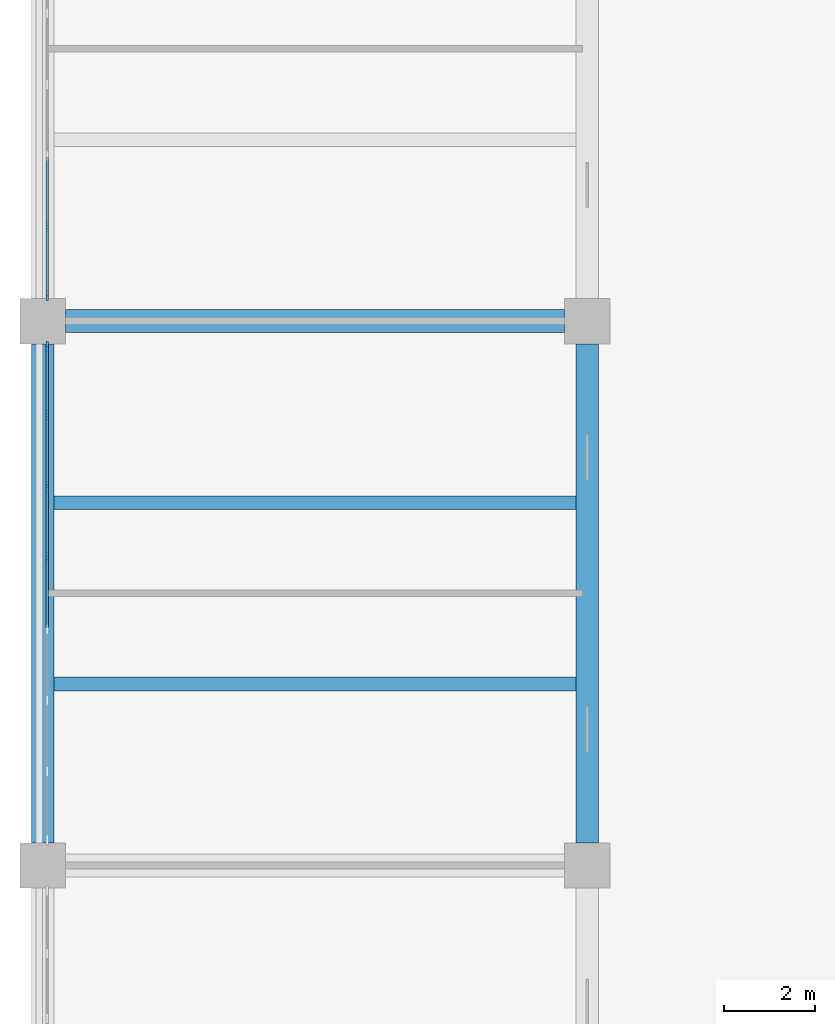
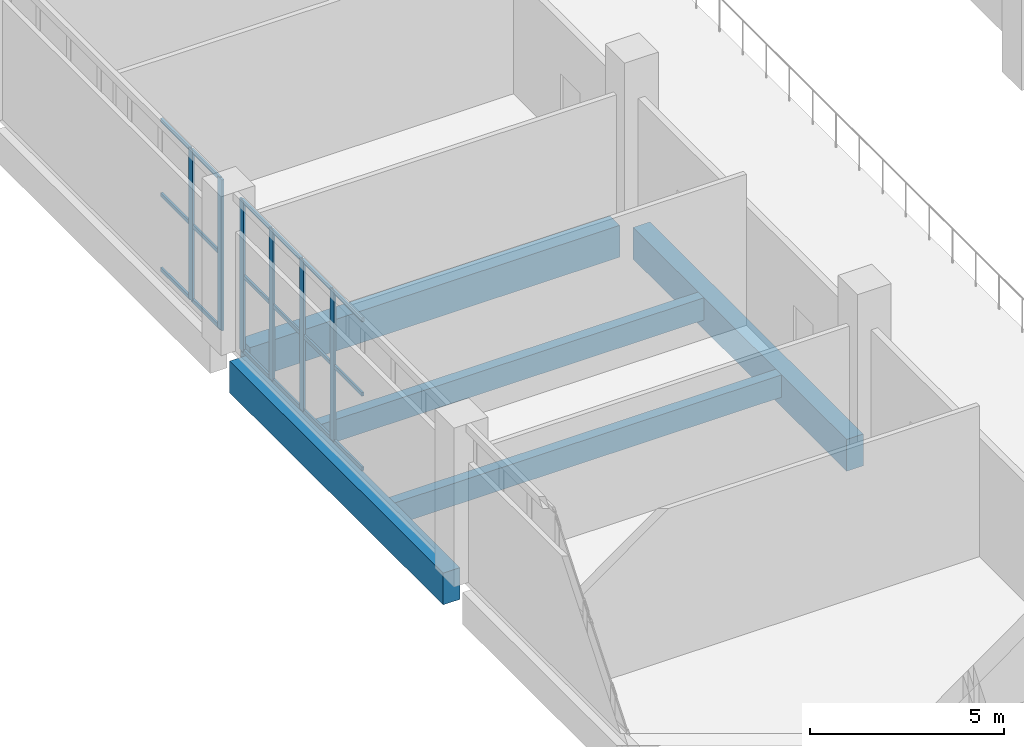
# One storey, part 31 of 69: 24 members, 5 beams, 2 elements without a shape of their own.
"""IFC4 building model written with IfcOpenShell, lengths in metres."""

from ifc_helpers import new_model, si_unit, direction, frame, origin, origin_2d, place, context, subcontext, project, spatial, rectangle, extrude, material, layer, layer_set, material_profile, profile_set, type_object, element, aggregate, save


model = new_model("IFC4")

# Units and contexts
model_context = context("Model", 3, precision=1e-05, world=origin(), true_north=direction((0.0, 1.0)))
body_context = subcontext(model_context, "Body", "Model", "MODEL_VIEW")
ifc_project = project(units=[si_unit("LENGTHUNIT", "METRE"), si_unit("AREAUNIT", "SQUARE_METRE"), si_unit("VOLUMEUNIT", "CUBIC_METRE"), si_unit("PLANEANGLEUNIT", "RADIAN"), si_unit("MASSUNIT", "GRAM", prefix="KILO")], contexts=[model_context])

# Site, building, storey
site_placement = place(None, origin())
site = spatial("IfcSite", under=ifc_project, at=site_placement, CompositionType="ELEMENT")
building_placement = place(site_placement, origin())
building = spatial("IfcBuilding", under=site, at=building_placement, Name="Lilac Gate Convention Centre", CompositionType="ELEMENT")
storey_placement = place(building_placement, frame((0.0, 0.0, 12.0)))
storey = spatial("IfcBuildingStorey", under=building, at=storey_placement, Name="L02", CompositionType="ELEMENT", Elevation=12.0)

# Curtain wall, members
ifc_material_1 = material(Name="Aluminium framed double glazing", Category="aluminium")
ifc_layer = layer(ifc_material_1, 0.199951171875)
ifc_layer_set = layer_set([ifc_layer], Name="Aluminium framed double glazing")
curtain_wall_type = type_object("IfcCurtainWallType", Name="Unitised curtain wall 1500", PredefinedType="NOTDEFINED", material=ifc_layer_set)
curtain_wall_1_placement = place(storey_placement, origin())
curtain_wall_1 = element("IfcCurtainWall", 1, at=curtain_wall_1_placement, inside=storey, type_object=curtain_wall_type, Name="Curtain wall PW L02 2", PredefinedType="NOTDEFINED")
ifc_material_2 = material(Name="Aluminium alloy 6063", Category="aluminium")
ifc_material_profile_1 = material_profile(ifc_material_2, rectangle(XDim=0.06005859375, YDim=0.219970703125, at=origin_2d()), Name="Curtain wall mullion 60 x 220")
ifc_profile_set_1 = profile_set([ifc_material_profile_1], Name="Aluminium alloy 6063")
member_type_1 = type_object("IfcMemberType", Name="Curtain wall mullion 60 x 220", PredefinedType="MULLION", material=ifc_profile_set_1)
member_1_placement = place(storey_placement, frame((6.10009765625, 188.071533203125, 0.0), z_axis=(0.0, 0.0, 1.0), x_axis=(1.0, 0.0, 0.0)))
member_1 = element("IfcMember", 2, at=member_1_placement, type_object=member_type_1, Name="CW mullion 7", PredefinedType="MULLION", context=body_context, shape_type="SweptSolid", body=[
    extrude(rectangle(XDim=0.06005859375, YDim=0.219970703125, at=origin_2d()), origin(), (0.0, 0.0, 1.0), 4.75),
])
member_2_placement = place(storey_placement, frame((6.10009765625, 186.56005859375, 0.0), z_axis=(0.0, 0.0, 1.0), x_axis=(1.0, 0.0, 0.0)))
member_2 = element("IfcMember", 3, at=member_2_placement, type_object=member_type_1, Name="CW mullion 8", PredefinedType="MULLION", context=body_context, shape_type="SweptSolid", body=[
    extrude(rectangle(XDim=0.06005859375, YDim=0.219970703125, at=origin_2d()), origin(), (0.0, 0.0, 1.0), 4.75),
])

curtain_wall_2_placement = place(storey_placement, origin())
curtain_wall_2 = element("IfcCurtainWall", 4, at=curtain_wall_2_placement, inside=storey, type_object=curtain_wall_type, Name="Curtain wall PW L02 3", PredefinedType="NOTDEFINED")
member_3_placement = place(storey_placement, frame((6.10009765625, 185.43994140625, 0.0), z_axis=(0.0, 0.0, 1.0), x_axis=(1.0, 0.0, 0.0)))
member_3 = element("IfcMember", 5, at=member_3_placement, type_object=member_type_1, Name="CW mullion 1", PredefinedType="MULLION", context=body_context, shape_type="SweptSolid", body=[
    extrude(rectangle(XDim=0.06005859375, YDim=0.219970703125, at=origin_2d()), origin(), (0.0, 0.0, 1.0), 4.75),
])
member_4_placement = place(storey_placement, frame((6.10009765625, 183.928466796875, 0.0), z_axis=(0.0, 0.0, 1.0), x_axis=(1.0, 0.0, 0.0)))
member_4 = element("IfcMember", 6, at=member_4_placement, type_object=member_type_1, Name="CW mullion 2", PredefinedType="MULLION", context=body_context, shape_type="SweptSolid", body=[
    extrude(rectangle(XDim=0.06005859375, YDim=0.219970703125, at=origin_2d()), origin(), (0.0, 0.0, 1.0), 4.75),
])
member_5_placement = place(storey_placement, frame((6.10009765625, 182.357177734375, 0.0), z_axis=(0.0, 0.0, 1.0), x_axis=(1.0, 0.0, 0.0)))
member_5 = element("IfcMember", 7, at=member_5_placement, type_object=member_type_1, Name="CW mullion 3", PredefinedType="MULLION", context=body_context, shape_type="SweptSolid", body=[
    extrude(rectangle(XDim=0.06005859375, YDim=0.219970703125, at=origin_2d()), origin(), (0.0, 0.0, 1.0), 4.75),
])
member_6_placement = place(storey_placement, frame((6.10009765625, 180.78564453125, 0.0), z_axis=(0.0, 0.0, 1.0), x_axis=(1.0, 0.0, 0.0)))
member_6 = element("IfcMember", 8, at=member_6_placement, type_object=member_type_1, Name="CW mullion 4", PredefinedType="MULLION", context=body_context, shape_type="SweptSolid", body=[
    extrude(rectangle(XDim=0.06005859375, YDim=0.219970703125, at=origin_2d()), origin(), (0.0, 0.0, 1.0), 4.75),
])

# Member
ifc_material_profile_2 = material_profile(ifc_material_2, rectangle(XDim=0.06005859375, YDim=0.1201171875, at=origin_2d()), Name="Curtain wall transom 60 x 120")
ifc_profile_set_2 = profile_set([ifc_material_profile_2], Name="Aluminium alloy 6063")
member_type_2 = type_object("IfcMemberType", Name="Curtain wall transom 60 x 120", PredefinedType="USERDEFINED", material=ifc_profile_set_2)
member_7_placement = place(storey_placement, frame((6.10009765625, 189.61279296875, 0.030029296875), z_axis=(0.0, -1.0, 0.0), x_axis=(1.0, 0.0, 0.0)))
member_7 = element("IfcMember", 9, at=member_7_placement, type_object=member_type_2, Name="CW transom 6.1", ObjectType="TRANSOM", PredefinedType="USERDEFINED", context=body_context, shape_type="SweptSolid", body=[
    extrude(rectangle(XDim=0.06005859375, YDim=0.1201171875, at=origin_2d()), origin(), (0.0, 0.0, 1.0), 1.511474609375),
])

member_8_placement = place(storey_placement, frame((6.10009765625, 189.61279296875, 2.375), z_axis=(0.0, -1.0, 0.0), x_axis=(1.0, 0.0, 0.0)))
member_8 = element("IfcMember", 10, at=member_8_placement, type_object=member_type_2, Name="CW transom 6.2", ObjectType="TRANSOM", PredefinedType="USERDEFINED", context=body_context, shape_type="SweptSolid", body=[
    extrude(rectangle(XDim=0.06005859375, YDim=0.1201171875, at=origin_2d()), origin(), (0.0, 0.0, 1.0), 1.511474609375),
])

member_9_placement = place(storey_placement, frame((6.10009765625, 189.61279296875, 4.719970703125), z_axis=(0.0, -1.0, 0.0), x_axis=(1.0, 0.0, 0.0)))
member_9 = element("IfcMember", 11, at=member_9_placement, type_object=member_type_2, Name="CW transom 6.3", ObjectType="TRANSOM", PredefinedType="USERDEFINED", context=body_context, shape_type="SweptSolid", body=[
    extrude(rectangle(XDim=0.06005859375, YDim=0.1201171875, at=origin_2d()), origin(), (0.0, 0.0, 1.0), 1.511474609375),
])

member_10_placement = place(storey_placement, frame((6.10009765625, 188.04150390625, 0.030029296875), z_axis=(0.0, -1.0, 0.0), x_axis=(1.0, 0.0, 0.0)))
member_10 = element("IfcMember", 12, at=member_10_placement, type_object=member_type_2, Name="CW transom 7.1", ObjectType="TRANSOM", PredefinedType="USERDEFINED", context=body_context, shape_type="SweptSolid", body=[
    extrude(rectangle(XDim=0.06005859375, YDim=0.1201171875, at=origin_2d()), origin(), (0.0, 0.0, 1.0), 1.4814453125),
])

member_11_placement = place(storey_placement, frame((6.10009765625, 188.04150390625, 2.375), z_axis=(0.0, -1.0, 0.0), x_axis=(1.0, 0.0, 0.0)))
member_11 = element("IfcMember", 13, at=member_11_placement, type_object=member_type_2, Name="CW transom 7.2", ObjectType="TRANSOM", PredefinedType="USERDEFINED", context=body_context, shape_type="SweptSolid", body=[
    extrude(rectangle(XDim=0.06005859375, YDim=0.1201171875, at=origin_2d()), origin(), (0.0, 0.0, 1.0), 1.4814453125),
])

member_12_placement = place(storey_placement, frame((6.10009765625, 188.04150390625, 4.719970703125), z_axis=(0.0, -1.0, 0.0), x_axis=(1.0, 0.0, 0.0)))
member_12 = element("IfcMember", 14, at=member_12_placement, type_object=member_type_2, Name="CW transom 7.3", ObjectType="TRANSOM", PredefinedType="USERDEFINED", context=body_context, shape_type="SweptSolid", body=[
    extrude(rectangle(XDim=0.06005859375, YDim=0.1201171875, at=origin_2d()), origin(), (0.0, 0.0, 1.0), 1.4814453125),
])

aggregate(curtain_wall_1, [member_1, member_2, member_7, member_8, member_9, member_10, member_11, member_12])

member_13_placement = place(storey_placement, frame((6.10009765625, 185.43994140625, 0.030029296875), z_axis=(0.0, -1.0, 0.0), x_axis=(1.0, 0.0, 0.0)))
member_13 = element("IfcMember", 15, at=member_13_placement, type_object=member_type_2, Name="CW transom 1.1", ObjectType="TRANSOM", PredefinedType="USERDEFINED", context=body_context, shape_type="SweptSolid", body=[
    extrude(rectangle(XDim=0.06005859375, YDim=0.1201171875, at=origin_2d()), origin(), (0.0, 0.0, 1.0), 1.4814453125),
])

member_14_placement = place(storey_placement, frame((6.10009765625, 185.43994140625, 2.375), z_axis=(0.0, -1.0, 0.0), x_axis=(1.0, 0.0, 0.0)))
member_14 = element("IfcMember", 16, at=member_14_placement, type_object=member_type_2, Name="CW transom 1.2", ObjectType="TRANSOM", PredefinedType="USERDEFINED", context=body_context, shape_type="SweptSolid", body=[
    extrude(rectangle(XDim=0.06005859375, YDim=0.1201171875, at=origin_2d()), origin(), (0.0, 0.0, 1.0), 1.4814453125),
])

member_15_placement = place(storey_placement, frame((6.10009765625, 185.43994140625, 4.719970703125), z_axis=(0.0, -1.0, 0.0), x_axis=(1.0, 0.0, 0.0)))
member_15 = element("IfcMember", 17, at=member_15_placement, type_object=member_type_2, Name="CW transom 1.3", ObjectType="TRANSOM", PredefinedType="USERDEFINED", context=body_context, shape_type="SweptSolid", body=[
    extrude(rectangle(XDim=0.06005859375, YDim=0.1201171875, at=origin_2d()), origin(), (0.0, 0.0, 1.0), 1.4814453125),
])

member_16_placement = place(storey_placement, frame((6.10009765625, 183.898681640625, 0.030029296875), z_axis=(0.0, -1.0, 0.0), x_axis=(1.0, 0.0, 0.0)))
member_16 = element("IfcMember", 18, at=member_16_placement, type_object=member_type_2, Name="CW transom 2.1", ObjectType="TRANSOM", PredefinedType="USERDEFINED", context=body_context, shape_type="SweptSolid", body=[
    extrude(rectangle(XDim=0.06005859375, YDim=0.1201171875, at=origin_2d()), origin(), (0.0, 0.0, 1.0), 1.511474609375),
])

member_17_placement = place(storey_placement, frame((6.10009765625, 183.898681640625, 2.375), z_axis=(0.0, -1.0, 0.0), x_axis=(1.0, 0.0, 0.0)))
member_17 = element("IfcMember", 19, at=member_17_placement, type_object=member_type_2, Name="CW transom 2.2", ObjectType="TRANSOM", PredefinedType="USERDEFINED", context=body_context, shape_type="SweptSolid", body=[
    extrude(rectangle(XDim=0.06005859375, YDim=0.1201171875, at=origin_2d()), origin(), (0.0, 0.0, 1.0), 1.511474609375),
])

member_18_placement = place(storey_placement, frame((6.10009765625, 183.898681640625, 4.719970703125), z_axis=(0.0, -1.0, 0.0), x_axis=(1.0, 0.0, 0.0)))
member_18 = element("IfcMember", 20, at=member_18_placement, type_object=member_type_2, Name="CW transom 2.3", ObjectType="TRANSOM", PredefinedType="USERDEFINED", context=body_context, shape_type="SweptSolid", body=[
    extrude(rectangle(XDim=0.06005859375, YDim=0.1201171875, at=origin_2d()), origin(), (0.0, 0.0, 1.0), 1.511474609375),
])

member_19_placement = place(storey_placement, frame((6.10009765625, 182.3271484375, 0.030029296875), z_axis=(0.0, -1.0, 0.0), x_axis=(1.0, 0.0, 0.0)))
member_19 = element("IfcMember", 21, at=member_19_placement, type_object=member_type_2, Name="CW transom 3.1", ObjectType="TRANSOM", PredefinedType="USERDEFINED", context=body_context, shape_type="SweptSolid", body=[
    extrude(rectangle(XDim=0.06005859375, YDim=0.1201171875, at=origin_2d()), origin(), (0.0, 0.0, 1.0), 1.511474609375),
])

member_20_placement = place(storey_placement, frame((6.10009765625, 182.3271484375, 2.375), z_axis=(0.0, -1.0, 0.0), x_axis=(1.0, 0.0, 0.0)))
member_20 = element("IfcMember", 22, at=member_20_placement, type_object=member_type_2, Name="CW transom 3.2", ObjectType="TRANSOM", PredefinedType="USERDEFINED", context=body_context, shape_type="SweptSolid", body=[
    extrude(rectangle(XDim=0.06005859375, YDim=0.1201171875, at=origin_2d()), origin(), (0.0, 0.0, 1.0), 1.511474609375),
])

member_21_placement = place(storey_placement, frame((6.10009765625, 182.3271484375, 4.719970703125), z_axis=(0.0, -1.0, 0.0), x_axis=(1.0, 0.0, 0.0)))
member_21 = element("IfcMember", 23, at=member_21_placement, type_object=member_type_2, Name="CW transom 3.3", ObjectType="TRANSOM", PredefinedType="USERDEFINED", context=body_context, shape_type="SweptSolid", body=[
    extrude(rectangle(XDim=0.06005859375, YDim=0.1201171875, at=origin_2d()), origin(), (0.0, 0.0, 1.0), 1.511474609375),
])

member_22_placement = place(storey_placement, frame((6.10009765625, 180.755615234375, 0.030029296875), z_axis=(0.0, -1.0, 0.0), x_axis=(1.0, 0.0, 0.0)))
member_22 = element("IfcMember", 24, at=member_22_placement, type_object=member_type_2, Name="CW transom 4.1", ObjectType="TRANSOM", PredefinedType="USERDEFINED", context=body_context, shape_type="SweptSolid", body=[
    extrude(rectangle(XDim=0.06005859375, YDim=0.1201171875, at=origin_2d()), origin(), (0.0, 0.0, 1.0), 1.51123046875),
])

member_23_placement = place(storey_placement, frame((6.10009765625, 180.755615234375, 2.375), z_axis=(0.0, -1.0, 0.0), x_axis=(1.0, 0.0, 0.0)))
member_23 = element("IfcMember", 25, at=member_23_placement, type_object=member_type_2, Name="CW transom 4.2", ObjectType="TRANSOM", PredefinedType="USERDEFINED", context=body_context, shape_type="SweptSolid", body=[
    extrude(rectangle(XDim=0.06005859375, YDim=0.1201171875, at=origin_2d()), origin(), (0.0, 0.0, 1.0), 1.51123046875),
])

member_24_placement = place(storey_placement, frame((6.10009765625, 180.755615234375, 4.719970703125), z_axis=(0.0, -1.0, 0.0), x_axis=(1.0, 0.0, 0.0)))
member_24 = element("IfcMember", 26, at=member_24_placement, type_object=member_type_2, Name="CW transom 4.3", ObjectType="TRANSOM", PredefinedType="USERDEFINED", context=body_context, shape_type="SweptSolid", body=[
    extrude(rectangle(XDim=0.06005859375, YDim=0.1201171875, at=origin_2d()), origin(), (0.0, 0.0, 1.0), 1.51123046875),
])

aggregate(curtain_wall_2, [member_3, member_4, member_5, member_6, member_13, member_14, member_15, member_16, member_17, member_18, member_19, member_20, member_21, member_22, member_23, member_24])

# Beams
ifc_material_3 = material(Name="Concrete C40", Category="concrete")
ifc_material_profile_3 = material_profile(ifc_material_3, rectangle(XDim=0.5, YDim=1.0, at=origin_2d()), Name="RC 500x1000")
ifc_profile_set_3 = profile_set([ifc_material_profile_3], Name="Concrete C40")
beam_type_1 = type_object("IfcBeamType", Name="Primary beam 500x1000 C40", PredefinedType="BEAM", material=ifc_profile_set_3)
for number, where, z_axis, x_axis, name in (
    (27, (6.5, 186.0, -0.75), (1.0, 0.0, 0.0), (0.0, 1.0, 0.0), "RB1 L02 1/P-2/P"),
    (28, (6.0, 174.5, -0.75), (0.0, 1.0, 0.0), (-1.0, 0.0, 0.0), "RB1 L02 1/N-1/P"),
    (29, (18.0, 174.5, -0.75), (0.0, 1.0, 0.0), (-1.0, 0.0, 0.0), "RB1 L02 2/N-2/P"),
):
    element("IfcBeam", number, at=place(storey_placement, frame(where, z_axis=z_axis, x_axis=x_axis)), inside=storey, type_object=beam_type_1, Name=name, PredefinedType="BEAM", context=body_context, shape_type="SweptSolid", body=[
        extrude(rectangle(XDim=0.5, YDim=1.0, at=origin_2d()), origin(), (0.0, 0.0, 1.0), 11.0),
    ])
ifc_material_profile_4 = material_profile(ifc_material_3, rectangle(XDim=0.300048828125, YDim=0.699951171875, at=origin_2d()), Name="RC 300x700")
ifc_profile_set_4 = profile_set([ifc_material_profile_4], Name="Concrete C40")
beam_type_2 = type_object("IfcBeamType", Name="Secondary beam 300x700 C40", PredefinedType="BEAM", material=ifc_profile_set_4)
for number, where, z_axis, x_axis, name in (
    (30, (6.25, 178.0, -0.60009765625), (1.0, 0.0, 0.0), (0.0, 1.0, 0.0), "RB2 L02 bay 1/N"),
    (31, (6.25, 182.0, -0.60009765625), (1.0, 0.0, 0.0), (0.0, 1.0, 0.0), "RB2 L02 bay 1/N"),
):
    element("IfcBeam", number, at=place(storey_placement, frame(where, z_axis=z_axis, x_axis=x_axis)), inside=storey, type_object=beam_type_2, Name=name, PredefinedType="BEAM", context=body_context, shape_type="SweptSolid", body=[
        extrude(rectangle(XDim=0.300048828125, YDim=0.699951171875, at=origin_2d()), origin(), (0.0, 0.0, 1.0), 11.5),
    ])

save(model, "model.ifc")
